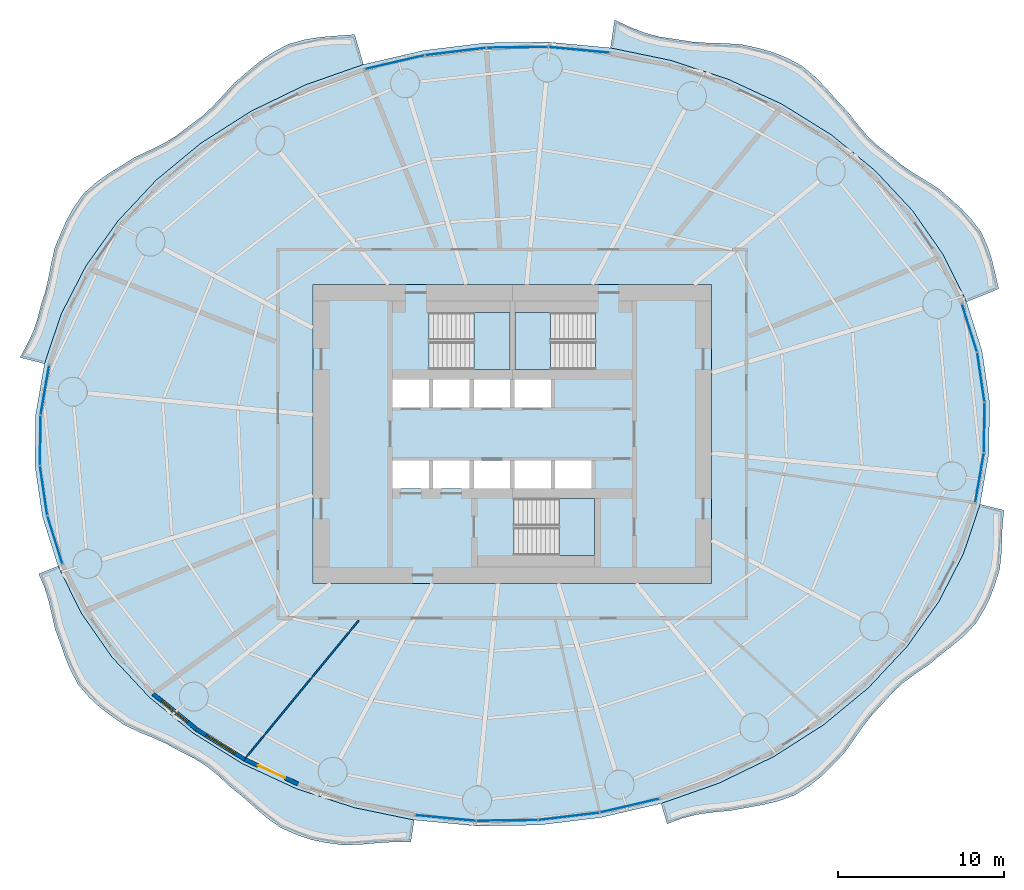
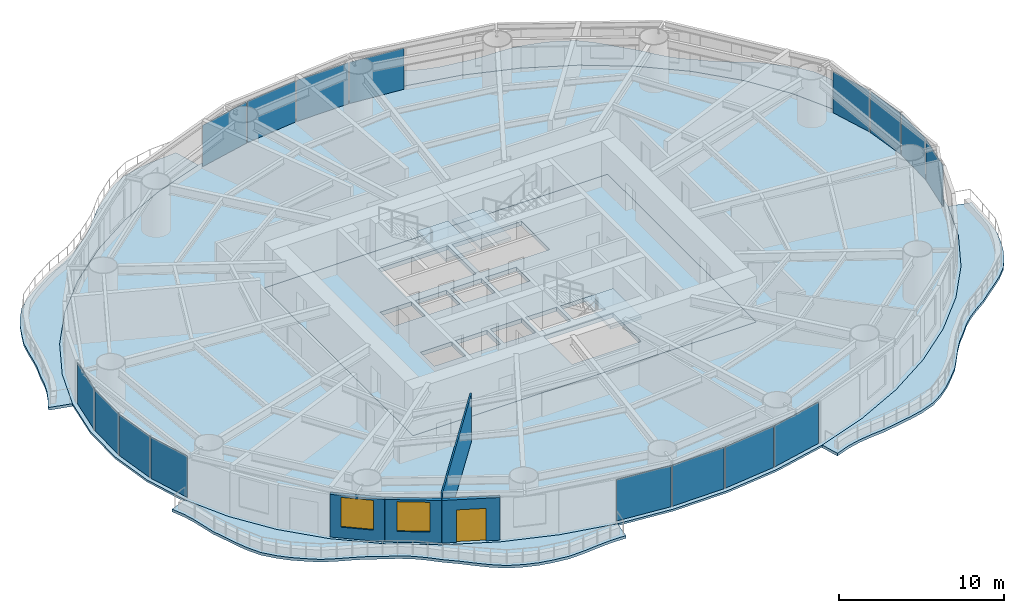
# One storey, part 7 of 16: 16 plates, 9 slabs, 4 walls, 2 windows, 1 door, 3 openings, 19 elements without a shape of their own.
"""IFC4 building model written with IfcOpenShell, lengths in metres."""

from ifc_helpers import new_model, si_unit, direction, frame, frame_2d, origin, origin_2d, place, context, subcontext, project, spatial, polyline, rectangle, outline, extrude, material, layer, layer_set, type_object, element, fill, aggregate, save


model = new_model("IFC4")

# Units and contexts
model_context = context("Model", 3, precision=1e-05, world=origin(), true_north=direction((0.0, 1.0)))
body_context = subcontext(model_context, "Body", "Model", "MODEL_VIEW")
ifc_project = project(units=[si_unit("LENGTHUNIT", "METRE"), si_unit("AREAUNIT", "SQUARE_METRE"), si_unit("VOLUMEUNIT", "CUBIC_METRE"), si_unit("PLANEANGLEUNIT", "RADIAN"), si_unit("MASSUNIT", "GRAM", prefix="KILO")], contexts=[model_context])

# Site, building, storey
site_placement = place(None, origin())
site = spatial("IfcSite", under=ifc_project, at=site_placement, CompositionType="ELEMENT")
building_placement = place(site_placement, origin())
building = spatial("IfcBuilding", under=site, at=building_placement, Name="Vermilion Reach Broadcast Tower", CompositionType="ELEMENT")
storey_placement = place(building_placement, frame((0.0, 0.0, 50.800048828125)))
storey = spatial("IfcBuildingStorey", under=building, at=storey_placement, Name="L09", CompositionType="ELEMENT", Elevation=50.800048828125)

# Slabs
ifc_material_1 = material(Name="Concrete C40/50", Category="concrete")
ifc_layer_1 = layer(ifc_material_1, 0.199951171875)
ifc_layer_set_1 = layer_set([ifc_layer_1], Name="Balcony slab 200")
slab_type_1 = type_object("IfcSlabType", Name="Balcony slab 200", PredefinedType="FLOOR", material=ifc_layer_set_1)
placement_1 = place(storey_placement, frame((0.0, 0.0, -0.199951171875)))
element("IfcSlab", 1, at=placement_1, inside=storey, type_object=slab_type_1, Name="Balcony slab L09 group 1", PredefinedType="FLOOR", context=body_context, shape_type="SweptSolid", body=[
    extrude(outline(polyline([(21.33837890625, 7.954833984375), (19.934814453125, 10.78955078125), (18.087646484375, 13.439453125), (15.828125, 15.859619140625), (13.1953125, 18.00830078125), (10.23388671875, 19.848876953125), (6.994873046875, 21.349853515625), (3.533203125, 22.485595703125), (-0.09130859375, 23.236328125), (0.16162109375, 24.915771484375), (1.111083984375, 24.478271484375), (1.9853515625, 24.13671875), (2.880859375, 23.897216796875), (3.871337890625, 23.7529296875), (4.856689453125, 23.597412109375), (5.795166015625, 23.536376953125), (6.745361328125, 23.511474609375), (7.8193359375, 23.44189453125), (8.84033203125, 23.210205078125), (9.7099609375, 22.963623046875), (10.5380859375, 22.628173828125), (11.4658203125, 22.131103515625), (12.260498046875, 21.458251953125), (12.8837890625, 20.809814453125), (13.4873046875, 20.12939453125), (14.1826171875, 19.390625), (14.786865234375, 18.614990234375), (15.347412109375, 17.9580078125), (15.9619140625, 17.3671875), (16.703369140625, 16.795166015625), (17.40966796875, 16.203857421875), (18.109619140625, 15.724853515625), (18.844970703125, 15.279052734375), (19.69384765625, 14.73828125), (20.4296875, 14.087890625), (21.047119140625, 13.53369140625), (21.611083984375, 12.9423828125), (22.221923828125, 12.142578125), (22.624267578125, 11.23876953125), (22.869140625, 10.4775390625), (23.056884765625, 9.688232421875), (23.2783203125, 8.7353515625), (21.33837890625, 7.954833984375)])), origin(), (0.0, 0.0, 1.0), 0.199951171875),
])
element("IfcSlab", 2, at=placement_1, inside=storey, type_object=slab_type_1, Name="Balcony slab L09 group 2", PredefinedType="FLOOR", context=body_context, shape_type="SweptSolid", body=[
    extrude(outline(polyline([(-14.9609375, 22.23828125), (-18.45263671875, 21.009765625), (-21.7314453125, 19.421630859375), (-24.740966796875, 17.50146484375), (-27.4296875, 15.281494140625), (-29.751708984375, 12.80029296875), (-31.66748046875, 10.099853515625), (-33.14404296875, 7.226806640625), (-34.15625, 4.22998046875), (-35.629150390625, 4.603759765625), (-35.18701171875, 5.412841796875), (-34.84912109375, 6.13330078125), (-34.58740234375, 6.879638671875), (-34.37158203125, 7.74609375), (-34.09033203125, 8.62109375), (-33.90576171875, 9.43408203125), (-33.75, 10.26220703125), (-33.5263671875, 11.22900390625), (-33.137939453125, 12.157958984375), (-32.792724609375, 12.927978515625), (-32.384033203125, 13.65283203125), (-31.79931640625, 14.4716796875), (-31.027099609375, 15.157470703125), (-30.318603515625, 15.65771484375), (-29.568359375, 16.119384765625), (-28.7177734375, 16.652099609375), (-27.791259765625, 17.088623046875), (-26.987548828125, 17.484375), (-26.232177734375, 17.938720703125), (-25.478271484375, 18.514892578125), (-24.697509765625, 19.092529296875), (-24.031982421875, 19.708740234375), (-23.404541015625, 20.384521484375), (-22.698486328125, 21.152587890625), (-21.8916015625, 21.841552734375), (-21.168701171875, 22.4384765625), (-20.410400390625, 22.96240234375), (-19.472900390625, 23.458740234375), (-18.434814453125, 23.746826171875), (-17.504150390625, 23.89013671875), (-16.549560546875, 23.965087890625), (-15.486572265625, 24.042724609375), (-14.9609375, 22.23828125)])), origin(), (0.0, 0.0, 1.0), 0.199951171875),
])
element("IfcSlab", 3, at=placement_1, inside=storey, type_object=slab_type_1, Name="Balcony slab L09 group 3", PredefinedType="FLOOR", context=body_context, shape_type="SweptSolid", body=[
    extrude(outline(polyline([(-33.33837890625, -7.954833984375), (-31.934814453125, -10.78955078125), (-30.087646484375, -13.439453125), (-27.828125, -15.859619140625), (-25.1953125, -18.00830078125), (-22.23388671875, -19.848876953125), (-18.994873046875, -21.349853515625), (-15.533203125, -22.485595703125), (-11.90869140625, -23.236328125), (-12.109619140625, -24.571044921875), (-13.12646484375, -24.552978515625), (-14.08447265625, -24.614990234375), (-15.04736328125, -24.7021484375), (-16.135498046875, -24.7431640625), (-17.187255859375, -24.60546875), (-18.0859375, -24.4228515625), (-18.951171875, -24.138427734375), (-19.923583984375, -23.706298828125), (-20.78662109375, -23.093994140625), (-21.490966796875, -22.4912109375), (-22.18701171875, -21.870361328125), (-22.97802734375, -21.2275390625), (-23.699951171875, -20.55615234375), (-24.3837890625, -20.00537109375), (-25.119140625, -19.537109375), (-25.980224609375, -19.107421875), (-26.813232421875, -18.647216796875), (-27.6162109375, -18.287353515625), (-28.4365234375, -17.948974609375), (-29.37060546875, -17.50830078125), (-30.188232421875, -16.9306640625), (-30.854248046875, -16.420166015625), (-31.459228515625, -15.8525390625), (-32.125732421875, -15.08740234375), (-32.597900390625, -14.205078125), (-32.90869140625, -13.437255859375), (-33.1826171875, -12.643798828125), (-33.521728515625, -11.728515625), (-33.72998046875, -10.7958984375), (-33.9130859375, -10.004150390625), (-34.151611328125, -9.239990234375), (-34.501953125, -8.4228515625), (-33.33837890625, -7.954833984375)])), origin(), (0.0, 0.0, 1.0), 0.199951171875),
])
element("IfcSlab", 4, at=placement_1, inside=storey, type_object=slab_type_1, Name="Balcony slab L09 group 4", PredefinedType="FLOOR", context=body_context, shape_type="SweptSolid", body=[
    extrude(outline(polyline([(2.9609375, -22.23828125), (6.45263671875, -21.009765625), (9.7314453125, -19.421630859375), (12.740966796875, -17.50146484375), (15.4296875, -15.281494140625), (17.751708984375, -12.80029296875), (19.66748046875, -10.099853515625), (21.14404296875, -7.226806640625), (22.15625, -4.22998046875), (23.594482421875, -4.5947265625), (23.4970703125, -5.517578125), (23.466064453125, -6.341796875), (23.43896484375, -7.167236328125), (23.33251953125, -8.152587890625), (23.031494140625, -9.104736328125), (22.747314453125, -9.86669921875), (22.388427734375, -10.59033203125), (21.8701171875, -11.437744140625), (21.1591796875, -12.1728515625), (20.505126953125, -12.723876953125), (19.82470703125, -13.255859375), (19.076904296875, -13.882080078125), (18.255859375, -14.435546875), (17.559814453125, -14.94775390625), (16.925537109375, -15.517822265625), (16.304443359375, -16.21240234375), (15.6435546875, -16.90966796875), (15.096435546875, -17.6162109375), (14.582275390625, -18.36279296875), (13.9794921875, -19.20361328125), (13.252197265625, -19.9619140625), (12.601318359375, -20.600830078125), (11.90283203125, -21.16552734375), (11.01904296875, -21.726318359375), (10.01318359375, -22.093017578125), (9.107177734375, -22.3115234375), (8.17529296875, -22.476806640625), (7.14404296875, -22.66943359375), (6.090576171875, -22.768798828125), (5.15478515625, -22.897216796875), (4.2509765625, -23.116455078125), (3.318115234375, -23.46435546875), (2.9609375, -22.23828125)])), origin(), (0.0, 0.0, 1.0), 0.199951171875),
])
ifc_material_2 = material(Name="Concrete C40", Category="concrete")
ifc_layer_2 = layer(ifc_material_2, 0.300048828125)
ifc_layer_set_2 = layer_set([ifc_layer_2], Name="Core floor slab 300 mm Concrete C40")
slab_type_2 = type_object("IfcSlabType", Name="Core floor slab 300 mm Concrete C40", PredefinedType="FLOOR", material=ifc_layer_set_2)
slab_5_placement = place(storey_placement, frame((0.0, 0.0, -0.300048828125)))
element("IfcSlab", 5, at=slab_5_placement, inside=storey, type_object=slab_type_2, Name="L09 core floor", PredefinedType="FLOOR", context=body_context, shape_type="SweptSolid", body=[
    extrude(outline(polyline([(-18.0, -9.0), (6.0, -9.0), (6.0, 9.0), (-18.0, 9.0), (-18.0, -9.0)]), holes=[polyline([(-13.199951171875, 1.60009765625), (-11.00830078125, 1.60009765625), (-11.00830078125, 3.280029296875), (-13.199951171875, 3.280029296875), (-13.199951171875, 1.60009765625)]), polyline([(-10.75830078125, 1.60009765625), (-8.566650390625, 1.60009765625), (-8.566650390625, 3.280029296875), (-10.75830078125, 3.280029296875), (-10.75830078125, 1.60009765625)]), polyline([(-8.316650390625, 1.60009765625), (-6.125, 1.60009765625), (-6.125, 3.280029296875), (-8.316650390625, 3.280029296875), (-8.316650390625, 1.60009765625)]), polyline([(-5.875, 1.60009765625), (-3.683349609375, 1.60009765625), (-3.683349609375, 3.280029296875), (-5.875, 3.280029296875), (-5.875, 1.60009765625)]), polyline([(-13.199951171875, -3.280029296875), (-11.00830078125, -3.280029296875), (-11.00830078125, -1.60009765625), (-13.199951171875, -1.60009765625), (-13.199951171875, -3.280029296875)]), polyline([(-10.75830078125, -3.280029296875), (-8.566650390625, -3.280029296875), (-8.566650390625, -1.60009765625), (-10.75830078125, -1.60009765625), (-10.75830078125, -3.280029296875)]), polyline([(-8.316650390625, -3.280029296875), (-6.125, -3.280029296875), (-6.125, -1.60009765625), (-8.316650390625, -1.60009765625), (-8.316650390625, -3.280029296875)]), polyline([(-5.875, -3.280029296875), (-3.683349609375, -3.280029296875), (-3.683349609375, -1.60009765625), (-5.875, -1.60009765625), (-5.875, -3.280029296875)]), polyline([(-3.433349609375, -3.280029296875), (-1.24169921875, -3.280029296875), (-1.24169921875, -1.60009765625), (-3.433349609375, -1.60009765625), (-3.433349609375, -3.280029296875)]), polyline([(-10.999267578125, 3.8798828125), (-6.14990234375, 3.8798828125), (-6.14990234375, 7.300048828125), (-10.999267578125, 7.300048828125), (-10.999267578125, 3.8798828125)]), polyline([(-1.000732421875, 7.300048828125), (-5.85009765625, 7.300048828125), (-5.85009765625, 3.8798828125), (-1.000732421875, 3.8798828125), (-1.000732421875, 7.300048828125)]), polyline([(-5.8994140625, -7.300048828125), (-1.050048828125, -7.300048828125), (-1.050048828125, -3.8798828125), (-5.8994140625, -3.8798828125), (-5.8994140625, -7.300048828125)])]), origin(), (0.0, 0.0, 1.0), 0.300048828125),
])

# Stair, slab
ifc_material_3 = material(Name="Concrete C40", Category="concrete")
stair_type = type_object("IfcStairType", Name="Exit stair RC 22 risers 168 mm", PredefinedType="HALF_TURN_STAIR", material=ifc_material_3)
placement_2 = place(storey_placement, origin())
stair_1 = element("IfcStair", 6, at=placement_2, inside=storey, type_object=stair_type, Name="L09 Exit stair ST1", PredefinedType="HALF_TURN_STAIR")
ifc_material_4 = material(Name="Concrete C40", Category="concrete")
ifc_layer_3 = layer(ifc_material_4, 0.199951171875)
ifc_layer_set_3 = layer_set([ifc_layer_3], Name="Exit stair landing Concrete C40")
slab_type_3 = type_object("IfcSlabType", Name="Exit stair landing Concrete C40", PredefinedType="LANDING", material=ifc_layer_set_3)
placement_3 = place(storey_placement, frame((0.0, 0.0, 1.64990234375)))
slab_6 = element("IfcSlab", 7, at=placement_3, type_object=slab_type_3, Name="ST1 landing 1", PredefinedType="LANDING", context=body_context, shape_type="SweptSolid", body=[
    extrude(outline(polyline([(-8.300048828125, 3.8798828125), (-6.14990234375, 3.8798828125), (-6.14990234375, 7.300048828125), (-8.300048828125, 7.300048828125), (-8.300048828125, 3.8798828125)])), origin(), (0.0, 0.0, 1.0), 0.199951171875),
])
aggregate(stair_1, [slab_6])

stair_2 = element("IfcStair", 8, at=placement_2, inside=storey, type_object=stair_type, Name="L09 Exit stair ST2", PredefinedType="HALF_TURN_STAIR")
slab_7 = element("IfcSlab", 9, at=placement_3, type_object=slab_type_3, Name="ST2 landing 1", PredefinedType="LANDING", context=body_context, shape_type="SweptSolid", body=[
    extrude(outline(polyline([(-3.699951171875, 7.300048828125), (-5.85009765625, 7.300048828125), (-5.85009765625, 3.8798828125), (-3.699951171875, 3.8798828125), (-3.699951171875, 7.300048828125)])), origin(), (0.0, 0.0, 1.0), 0.199951171875),
])
aggregate(stair_2, [slab_7])

stair_3 = element("IfcStair", 10, at=placement_2, inside=storey, type_object=stair_type, Name="L09 Exit stair ST3", PredefinedType="HALF_TURN_STAIR")
slab_8 = element("IfcSlab", 11, at=placement_3, type_object=slab_type_3, Name="ST3 landing 1", PredefinedType="LANDING", context=body_context, shape_type="SweptSolid", body=[
    extrude(outline(polyline([(-3.199951171875, -7.300048828125), (-1.050048828125, -7.300048828125), (-1.050048828125, -3.8798828125), (-3.199951171875, -3.8798828125), (-3.199951171875, -7.300048828125)])), origin(), (0.0, 0.0, 1.0), 0.199951171875),
])
aggregate(stair_3, [slab_8])

# Slab
ifc_material_5 = material(Name="Concrete C40", Category="concrete")
ifc_layer_4 = layer(ifc_material_5, 0.14990234375)
ifc_layer_set_4 = layer_set([ifc_layer_4], Name="Floor slab Concrete C40 composite 150")
slab_type_4 = type_object("IfcSlabType", Name="Floor slab Concrete C40 composite 150", PredefinedType="FLOOR", material=ifc_layer_set_4)
slab_9_placement = place(storey_placement, frame((0.0, 0.0, -0.150146484375)))
element("IfcSlab", 12, at=slab_9_placement, inside=storey, type_object=slab_type_4, Name="Floor slab L09", PredefinedType="FLOOR", context=body_context, shape_type="SweptSolid", body=[
    extrude(outline(polyline([(22.72607421875, 1.92822265625), (22.274169921875, 4.984130859375), (21.33837890625, 7.954833984375), (19.934814453125, 10.78955078125), (18.087646484375, 13.439453125), (15.828125, 15.859619140625), (13.1953125, 18.00830078125), (10.23388671875, 19.848876953125), (6.994873046875, 21.349853515625), (3.533203125, 22.485595703125), (-0.09130859375, 23.236328125), (-3.81689453125, 23.58984375), (-7.580078125, 23.53955078125), (-11.31591796875, 23.08642578125), (-14.9609375, 22.23828125), (-18.45263671875, 21.009765625), (-21.7314453125, 19.421630859375), (-24.740966796875, 17.50146484375), (-27.4296875, 15.281494140625), (-29.751708984375, 12.80029296875), (-31.66748046875, 10.099853515625), (-33.14404296875, 7.226806640625), (-34.15625, 4.22998046875), (-34.6865234375, 1.160888671875), (-34.72607421875, -1.92822265625), (-34.274169921875, -4.984130859375), (-33.33837890625, -7.954833984375), (-31.934814453125, -10.78955078125), (-30.087646484375, -13.439453125), (-27.828125, -15.859619140625), (-25.1953125, -18.00830078125), (-22.23388671875, -19.848876953125), (-18.994873046875, -21.349853515625), (-15.533203125, -22.485595703125), (-11.90869140625, -23.236328125), (-8.18310546875, -23.58984375), (-4.419921875, -23.53955078125), (-0.68408203125, -23.08642578125), (2.9609375, -22.23828125), (6.45263671875, -21.009765625), (9.7314453125, -19.421630859375), (12.740966796875, -17.50146484375), (15.4296875, -15.281494140625), (17.751708984375, -12.80029296875), (19.66748046875, -10.099853515625), (21.14404296875, -7.226806640625), (22.15625, -4.22998046875), (22.6865234375, -1.160888671875), (22.72607421875, 1.92822265625)]), holes=[polyline([(-18.0, -9.0), (6.0, -9.0), (6.0, 9.0), (-18.0, 9.0), (-18.0, -9.0)])]), origin(), (0.0, 0.0, 1.0), 0.150146484375),
])

# Curtain wall, plate
ifc_material_6 = material(Name="Low-e laminated clear glass in aluminium frame", Category="aluminium")
curtain_wall_type = type_object("IfcCurtainWallType", Name="Slot curtain wall", PredefinedType="NOTDEFINED", material=ifc_material_6)
curtain_wall_1 = element("IfcCurtainWall", 13, at=placement_2, inside=storey, type_object=curtain_wall_type, Name="Slot curtain wall L09 46", PredefinedType="NOTDEFINED")
ifc_material_7 = material(Name="Low-e laminated clear glass", Category="glass")
ifc_layer_5 = layer(ifc_material_7, 0.028076171875)
ifc_layer_set_5 = layer_set([ifc_layer_5], Name="Slot glass panel")
plate_type = type_object("IfcPlateType", Name="Slot glass panel", PredefinedType="CURTAIN_PANEL", material=ifc_layer_set_5)
plate_1_placement = place(storey_placement, frame((22.126708984375, -2.644775390625, 0.0), z_axis=(0.0, 0.0, 1.0), x_axis=(0.170287443054, 0.985394432062, 0.0)))
plate_1 = element("IfcPlate", 14, at=plate_1_placement, type_object=plate_type, Name="Slot glass panel L09 46", PredefinedType="CURTAIN_PANEL", context=body_context, shape_type="SweptSolid", body=[
    extrude(rectangle(XDim=2.987548828125, YDim=0.028076171875, at=origin_2d()), origin(), (0.0, 0.0, 1.0), 3.050048828125),
])
aggregate(curtain_wall_1, [plate_1])

curtain_wall_2 = element("IfcCurtainWall", 15, at=placement_2, inside=storey, type_object=curtain_wall_type, Name="Slot curtain wall L09 47", PredefinedType="NOTDEFINED")
plate_2_placement = place(storey_placement, frame((22.407470703125, 0.387451171875, 0.0), z_axis=(0.0, 0.0, 1.0), x_axis=(0.01279686136, 0.999918116817, 0.0)))
plate_2 = element("IfcPlate", 16, at=plate_2_placement, type_object=plate_type, Name="Slot glass panel L09 47", PredefinedType="CURTAIN_PANEL", context=body_context, shape_type="SweptSolid", body=[
    extrude(rectangle(XDim=2.96142578125, YDim=0.028076171875, at=origin_2d()), origin(), (0.0, 0.0, 1.0), 3.050048828125),
])
aggregate(curtain_wall_2, [plate_2])

curtain_wall_3 = element("IfcCurtainWall", 17, at=placement_2, inside=storey, type_object=curtain_wall_type, Name="Slot curtain wall L09 00", PredefinedType="NOTDEFINED")
plate_3_placement = place(storey_placement, frame((22.204345703125, 3.412353515625, 0.0), z_axis=(0.0, 0.0, 1.0), x_axis=(-0.146311417269, 0.989238580514, 0.0)))
plate_3 = element("IfcPlate", 18, at=plate_3_placement, type_object=plate_type, Name="Slot glass panel L09 00", PredefinedType="CURTAIN_PANEL", context=body_context, shape_type="SweptSolid", body=[
    extrude(rectangle(XDim=2.96142578125, YDim=0.028076171875, at=origin_2d()), origin(), (0.0, 0.0, 1.0), 3.050048828125),
])
aggregate(curtain_wall_3, [plate_3])

curtain_wall_4 = element("IfcCurtainWall", 19, at=placement_2, inside=storey, type_object=curtain_wall_type, Name="Slot curtain wall L09 01", PredefinedType="NOTDEFINED")
plate_4_placement = place(storey_placement, frame((21.52099609375, 6.3798828125, 0.0), z_axis=(0.0, 0.0, 1.0), x_axis=(-0.300448197032, 0.953798134251, 0.0)))
plate_4 = element("IfcPlate", 20, at=plate_4_placement, type_object=plate_type, Name="Slot glass panel L09 01", PredefinedType="CURTAIN_PANEL", context=body_context, shape_type="SweptSolid", body=[
    extrude(rectangle(XDim=2.987548828125, YDim=0.028076171875, at=origin_2d()), origin(), (0.0, 0.0, 1.0), 3.050048828125),
])
aggregate(curtain_wall_4, [plate_4])

curtain_wall_5 = element("IfcCurtainWall", 21, at=placement_2, inside=storey, type_object=curtain_wall_type, Name="Slot curtain wall L09 10", PredefinedType="NOTDEFINED")
plate_5_placement = place(storey_placement, frame((-1.982421875, 23.114990234375, 0.0), z_axis=(0.0, 0.0, 1.0), x_axis=(-0.995533096535, 0.09441320725, 0.0)))
plate_5 = element("IfcPlate", 22, at=plate_5_placement, type_object=plate_type, Name="Slot glass panel L09 10", PredefinedType="CURTAIN_PANEL", context=body_context, shape_type="SweptSolid", body=[
    extrude(rectangle(XDim=3.6298828125, YDim=0.028076171875, at=origin_2d()), origin(), (0.0, 0.0, 1.0), 3.050048828125),
])
aggregate(curtain_wall_5, [plate_5])

curtain_wall_6 = element("IfcCurtainWall", 23, at=placement_2, inside=storey, type_object=curtain_wall_type, Name="Slot curtain wall L09 11", PredefinedType="NOTDEFINED")
plate_6_placement = place(storey_placement, frame((-5.694580078125, 23.26513671875, 0.0), z_axis=(0.0, 0.0, 1.0), x_axis=(-0.999910708453, -0.013363200289, 0.0)))
plate_6 = element("IfcPlate", 24, at=plate_6_placement, type_object=plate_type, Name="Slot glass panel L09 11", PredefinedType="CURTAIN_PANEL", context=body_context, shape_type="SweptSolid", body=[
    extrude(rectangle(XDim=3.651123046875, YDim=0.028076171875, at=origin_2d()), origin(), (0.0, 0.0, 1.0), 3.050048828125),
])
aggregate(curtain_wall_6, [plate_6])

curtain_wall_7 = element("IfcCurtainWall", 25, at=placement_2, inside=storey, type_object=curtain_wall_type, Name="Slot curtain wall L09 12", PredefinedType="NOTDEFINED")
plate_7_placement = place(storey_placement, frame((-9.411865234375, 23.015625, 0.0), z_axis=(0.0, 0.0, 1.0), x_axis=(-0.992727262854, -0.120385138561, 0.0)))
plate_7 = element("IfcPlate", 26, at=plate_7_placement, type_object=plate_type, Name="Slot glass panel L09 12", PredefinedType="CURTAIN_PANEL", context=body_context, shape_type="SweptSolid", body=[
    extrude(rectangle(XDim=3.651123046875, YDim=0.028076171875, at=origin_2d()), origin(), (0.0, 0.0, 1.0), 3.050048828125),
])
aggregate(curtain_wall_7, [plate_7])

curtain_wall_8 = element("IfcCurtainWall", 27, at=placement_2, inside=storey, type_object=curtain_wall_type, Name="Slot curtain wall L09 13", PredefinedType="NOTDEFINED")
plate_8_placement = place(storey_placement, frame((-13.070556640625, 22.37060546875, 0.0), z_axis=(0.0, 0.0, 1.0), x_axis=(-0.973985708258, -0.226609444, 0.0)))
plate_8 = element("IfcPlate", 28, at=plate_8_placement, type_object=plate_type, Name="Slot glass panel L09 13", PredefinedType="CURTAIN_PANEL", context=body_context, shape_type="SweptSolid", body=[
    extrude(rectangle(XDim=3.6298828125, YDim=0.028076171875, at=origin_2d()), origin(), (0.0, 0.0, 1.0), 3.050048828125),
])
aggregate(curtain_wall_8, [plate_8])

curtain_wall_9 = element("IfcCurtainWall", 29, at=placement_2, inside=storey, type_object=curtain_wall_type, Name="Slot curtain wall L09 22", PredefinedType="NOTDEFINED")
plate_9_placement = place(storey_placement, frame((-34.126708984375, 2.644775390625, 0.0), z_axis=(0.0, 0.0, 1.0), x_axis=(-0.170287443054, -0.985394432062, 0.0)))
plate_9 = element("IfcPlate", 30, at=plate_9_placement, type_object=plate_type, Name="Slot glass panel L09 22", PredefinedType="CURTAIN_PANEL", context=body_context, shape_type="SweptSolid", body=[
    extrude(rectangle(XDim=2.987548828125, YDim=0.028076171875, at=origin_2d()), origin(), (0.0, 0.0, 1.0), 3.050048828125),
])
aggregate(curtain_wall_9, [plate_9])

curtain_wall_10 = element("IfcCurtainWall", 31, at=placement_2, inside=storey, type_object=curtain_wall_type, Name="Slot curtain wall L09 23", PredefinedType="NOTDEFINED")
plate_10_placement = place(storey_placement, frame((-34.407470703125, -0.387451171875, 0.0), z_axis=(0.0, 0.0, 1.0), x_axis=(-0.01279686136, -0.999918116817, 0.0)))
plate_10 = element("IfcPlate", 32, at=plate_10_placement, type_object=plate_type, Name="Slot glass panel L09 23", PredefinedType="CURTAIN_PANEL", context=body_context, shape_type="SweptSolid", body=[
    extrude(rectangle(XDim=2.96142578125, YDim=0.028076171875, at=origin_2d()), origin(), (0.0, 0.0, 1.0), 3.050048828125),
])
aggregate(curtain_wall_10, [plate_10])

curtain_wall_11 = element("IfcCurtainWall", 33, at=placement_2, inside=storey, type_object=curtain_wall_type, Name="Slot curtain wall L09 24", PredefinedType="NOTDEFINED")
plate_11_placement = place(storey_placement, frame((-34.204345703125, -3.412353515625, 0.0), z_axis=(0.0, 0.0, 1.0), x_axis=(0.146311417269, -0.989238580514, 0.0)))
plate_11 = element("IfcPlate", 34, at=plate_11_placement, type_object=plate_type, Name="Slot glass panel L09 24", PredefinedType="CURTAIN_PANEL", context=body_context, shape_type="SweptSolid", body=[
    extrude(rectangle(XDim=2.96142578125, YDim=0.028076171875, at=origin_2d()), origin(), (0.0, 0.0, 1.0), 3.050048828125),
])
aggregate(curtain_wall_11, [plate_11])

curtain_wall_12 = element("IfcCurtainWall", 35, at=placement_2, inside=storey, type_object=curtain_wall_type, Name="Slot curtain wall L09 25", PredefinedType="NOTDEFINED")
plate_12_placement = place(storey_placement, frame((-33.52099609375, -6.3798828125, 0.0), z_axis=(0.0, 0.0, 1.0), x_axis=(0.300448197032, -0.953798134251, 0.0)))
plate_12 = element("IfcPlate", 36, at=plate_12_placement, type_object=plate_type, Name="Slot glass panel L09 25", PredefinedType="CURTAIN_PANEL", context=body_context, shape_type="SweptSolid", body=[
    extrude(rectangle(XDim=2.987548828125, YDim=0.028076171875, at=origin_2d()), origin(), (0.0, 0.0, 1.0), 3.050048828125),
])
aggregate(curtain_wall_12, [plate_12])

curtain_wall_13 = element("IfcCurtainWall", 37, at=placement_2, inside=storey, type_object=curtain_wall_type, Name="Slot curtain wall L09 34", PredefinedType="NOTDEFINED")
plate_13_placement = place(storey_placement, frame((-10.017578125, -23.114990234375, 0.0), z_axis=(0.0, 0.0, 1.0), x_axis=(0.995533096535, -0.09441320725, 0.0)))
plate_13 = element("IfcPlate", 38, at=plate_13_placement, type_object=plate_type, Name="Slot glass panel L09 34", PredefinedType="CURTAIN_PANEL", context=body_context, shape_type="SweptSolid", body=[
    extrude(rectangle(XDim=3.6298828125, YDim=0.028076171875, at=origin_2d()), origin(), (0.0, 0.0, 1.0), 3.050048828125),
])
aggregate(curtain_wall_13, [plate_13])

curtain_wall_14 = element("IfcCurtainWall", 39, at=placement_2, inside=storey, type_object=curtain_wall_type, Name="Slot curtain wall L09 35", PredefinedType="NOTDEFINED")
plate_14_placement = place(storey_placement, frame((-6.305419921875, -23.26513671875, 0.0), z_axis=(0.0, 0.0, 1.0), x_axis=(0.999910708453, 0.013363200289, 0.0)))
plate_14 = element("IfcPlate", 40, at=plate_14_placement, type_object=plate_type, Name="Slot glass panel L09 35", PredefinedType="CURTAIN_PANEL", context=body_context, shape_type="SweptSolid", body=[
    extrude(rectangle(XDim=3.651123046875, YDim=0.028076171875, at=origin_2d()), origin(), (0.0, 0.0, 1.0), 3.050048828125),
])
aggregate(curtain_wall_14, [plate_14])

curtain_wall_15 = element("IfcCurtainWall", 41, at=placement_2, inside=storey, type_object=curtain_wall_type, Name="Slot curtain wall L09 36", PredefinedType="NOTDEFINED")
plate_15_placement = place(storey_placement, frame((-2.588134765625, -23.015625, 0.0), z_axis=(0.0, 0.0, 1.0), x_axis=(0.992727262854, 0.120385138561, 0.0)))
plate_15 = element("IfcPlate", 42, at=plate_15_placement, type_object=plate_type, Name="Slot glass panel L09 36", PredefinedType="CURTAIN_PANEL", context=body_context, shape_type="SweptSolid", body=[
    extrude(rectangle(XDim=3.651123046875, YDim=0.028076171875, at=origin_2d()), origin(), (0.0, 0.0, 1.0), 3.050048828125),
])
aggregate(curtain_wall_15, [plate_15])

curtain_wall_16 = element("IfcCurtainWall", 43, at=placement_2, inside=storey, type_object=curtain_wall_type, Name="Slot curtain wall L09 37", PredefinedType="NOTDEFINED")
plate_16_placement = place(storey_placement, frame((1.070556640625, -22.37060546875, 0.0), z_axis=(0.0, 0.0, 1.0), x_axis=(0.973985708258, 0.226609444, 0.0)))
plate_16 = element("IfcPlate", 44, at=plate_16_placement, type_object=plate_type, Name="Slot glass panel L09 37", PredefinedType="CURTAIN_PANEL", context=body_context, shape_type="SweptSolid", body=[
    extrude(rectangle(XDim=3.6298828125, YDim=0.028076171875, at=origin_2d()), origin(), (0.0, 0.0, 1.0), 3.050048828125),
])
aggregate(curtain_wall_16, [plate_16])

# Wall
ifc_material_8 = material(Name="Plasterboard on steel stud", Category="steel")
ifc_layer_6 = layer(ifc_material_8, 0.10009765625)
ifc_layer_set_6 = layer_set([ifc_layer_6], Name="Partition 100 steel stud")
wall_type_1 = type_object("IfcWallType", Name="Partition 100 steel stud", PredefinedType="PARTITIONING", material=ifc_layer_set_6)
wall_1_placement = place(storey_placement, frame((-22.0322265625, -19.474853515625, 0.0), z_axis=(0.0, 0.0, 1.0), x_axis=(0.635562171799, 0.772049691262, 0.0)))
element("IfcWall", 45, at=wall_1_placement, inside=storey, type_object=wall_type_1, Name="Partition 9.08", PredefinedType="PARTITIONING", context=body_context, shape_type="SweptSolid", body=[
    extrude(rectangle(XDim=10.677001953125, YDim=0.10009765625, at=frame_2d((5.33837890625, 0.0))), origin(), (0.0, 0.0, 1.0), 3.550048828125),
])

# Wall, opening, window
ifc_material_9 = material(Name="Terracotta rainscreen cladding", Category="masonry")
ifc_layer_7 = layer(ifc_material_9, 0.25)
ifc_layer_set_7 = layer_set([ifc_layer_7], Name="Terracotta rainscreen wall 250")
wall_type_2 = type_object("IfcWallType", Name="Terracotta rainscreen wall 250", PredefinedType="SOLIDWALL", material=ifc_layer_set_7)
wall_2_placement = place(storey_placement, frame((-27.61376953125, -15.648193359375, 0.0), z_axis=(0.0, 0.0, 1.0), x_axis=(0.774781963818, -0.632228525569, 0.0)))
wall_2 = element("IfcWall", 46, at=wall_2_placement, inside=storey, type_object=wall_type_2, Name="External wall L09 29", PredefinedType="SOLIDWALL", context=body_context, shape_type="SweptSolid", body=[
    extrude(rectangle(XDim=3.33447265625, YDim=0.25, at=frame_2d((1.667236328125, 0.0))), origin(), (0.0, 0.0, 1.0), 3.14990234375),
])
opening_1_placement = place(wall_2_placement, frame((0.667236328125, 0.0, 0.800048828125)))
opening_1 = element("IfcOpeningElement", 47, at=opening_1_placement, cuts=wall_2, Name="Opening W01", PredefinedType="OPENING", context=body_context, shape_type="SweptSolid", body=[
    extrude(rectangle(XDim=2.0, YDim=2.199951171875, at=frame_2d((1.0, 1.10009765625))), frame((0.0, 0.135009765625, 0.0), z_axis=(0.0, -1.0, 0.0), x_axis=(1.0, 0.0, 0.0)), (0.0, 0.0, 1.0), 0.27001953125),
])
ifc_material_10 = material(Name="Low-e laminated clear glass in aluminium frame", Category="aluminium")
window_type = type_object("IfcWindowType", Name="Punched window 2000 x 2200 sill 800", PartitioningType="SINGLE_PANEL", PredefinedType="WINDOW", material=ifc_material_10)
window_1_placement = place(opening_1_placement, origin())
window_1 = element("IfcWindow", 48, at=window_1_placement, inside=storey, type_object=window_type, Name="Window L09 29", OverallHeight=2.199951171875, OverallWidth=2.0, PartitioningType="SINGLE_PANEL", PredefinedType="WINDOW", context=body_context, shape_type="SweptSolid", body=[
    extrude(rectangle(XDim=2.0, YDim=2.199951171875, at=frame_2d((1.0, 1.10009765625))), frame((0.0, 0.030029296875, 0.0), z_axis=(0.0, -1.0, 0.0), x_axis=(1.0, 0.0, 0.0)), (0.0, 0.0, 1.0), 0.06005859375),
])
fill(opening_1, window_1)

wall_3_placement = place(storey_placement, frame((-25.0107421875, -17.7705078125, 0.0), z_axis=(0.0, 0.0, 1.0), x_axis=(0.849344913238, -0.527838250184, 0.0)))
wall_3 = element("IfcWall", 49, at=wall_3_placement, inside=storey, type_object=wall_type_2, Name="External wall L09 30", PredefinedType="SOLIDWALL", context=body_context, shape_type="SweptSolid", body=[
    extrude(rectangle(XDim=3.425537109375, YDim=0.25, at=frame_2d((1.712890625, 0.0))), origin(), (0.0, 0.0, 1.0), 3.14990234375),
])
opening_2_placement = place(wall_3_placement, frame((0.712646484375, 0.0, 0.800048828125)))
opening_2 = element("IfcOpeningElement", 50, at=opening_2_placement, cuts=wall_3, Name="Opening W01", PredefinedType="OPENING", context=body_context, shape_type="SweptSolid", body=[
    extrude(rectangle(XDim=2.0, YDim=2.199951171875, at=frame_2d((1.0, 1.10009765625))), frame((0.0, 0.135009765625, 0.0), z_axis=(0.0, -1.0, 0.0), x_axis=(1.0, 0.0, 0.0)), (0.0, 0.0, 1.0), 0.27001953125),
])
window_2_placement = place(opening_2_placement, origin())
window_2 = element("IfcWindow", 51, at=window_2_placement, inside=storey, type_object=window_type, Name="Window L09 30", OverallHeight=2.199951171875, OverallWidth=2.0, PartitioningType="SINGLE_PANEL", PredefinedType="WINDOW", context=body_context, shape_type="SweptSolid", body=[
    extrude(rectangle(XDim=2.0, YDim=2.199951171875, at=frame_2d((1.0, 1.10009765625))), frame((0.0, 0.030029296875, 0.0), z_axis=(0.0, -1.0, 0.0), x_axis=(1.0, 0.0, 0.0)), (0.0, 0.0, 1.0), 0.06005859375),
])
fill(opening_2, window_2)

# Wall, opening, door
wall_4_placement = place(storey_placement, frame((-22.0810546875, -19.589599609375, 0.0), z_axis=(0.0, 0.0, 1.0), x_axis=(0.907313194359, -0.420455428484, 0.0)))
wall_4 = element("IfcWall", 52, at=wall_4_placement, inside=storey, type_object=wall_type_2, Name="External wall L09 31", PredefinedType="SOLIDWALL", context=body_context, shape_type="SweptSolid", body=[
    extrude(rectangle(XDim=3.51123046875, YDim=0.25, at=frame_2d((1.755615234375, 0.0))), origin(), (0.0, 0.0, 1.0), 3.14990234375),
])
opening_3_placement = place(wall_4_placement, frame((0.85595703125, 0.0, 0.0)))
opening_3 = element("IfcOpeningElement", 53, at=opening_3_placement, cuts=wall_4, Name="Opening D70", PredefinedType="OPENING", context=body_context, shape_type="SweptSolid", body=[
    extrude(rectangle(XDim=1.800048828125, YDim=2.39990234375, at=frame_2d((0.89990234375, 1.199951171875))), frame((0.0, 0.135009765625, 0.0), z_axis=(0.0, -1.0, 0.0), x_axis=(1.0, 0.0, 0.0)), (0.0, 0.0, 1.0), 0.27001953125),
])
ifc_material_11 = material(Name="Low-e laminated clear glass in aluminium frame", Category="aluminium")
door_type = type_object("IfcDoorType", Name="Balcony sliding door 1800 x 2400", OperationType="DOUBLE_DOOR_SLIDING", PredefinedType="DOOR", material=ifc_material_11)
door_placement = place(opening_3_placement, origin())
door = element("IfcDoor", 54, at=door_placement, inside=storey, type_object=door_type, Name="Balcony door L09 run 08", OperationType="DOUBLE_DOOR_SLIDING", OverallHeight=2.39990234375, OverallWidth=1.800048828125, PredefinedType="DOOR", context=body_context, shape_type="SweptSolid", body=[
    extrude(rectangle(XDim=1.800048828125, YDim=2.39990234375, at=frame_2d((0.89990234375, 1.199951171875))), frame((0.0, 0.02490234375, 0.0), z_axis=(0.0, -1.0, 0.0), x_axis=(1.0, 0.0, 0.0)), (0.0, 0.0, 1.0), 0.050048828125),
])
fill(opening_3, door)

save(model, "model.ifc")
